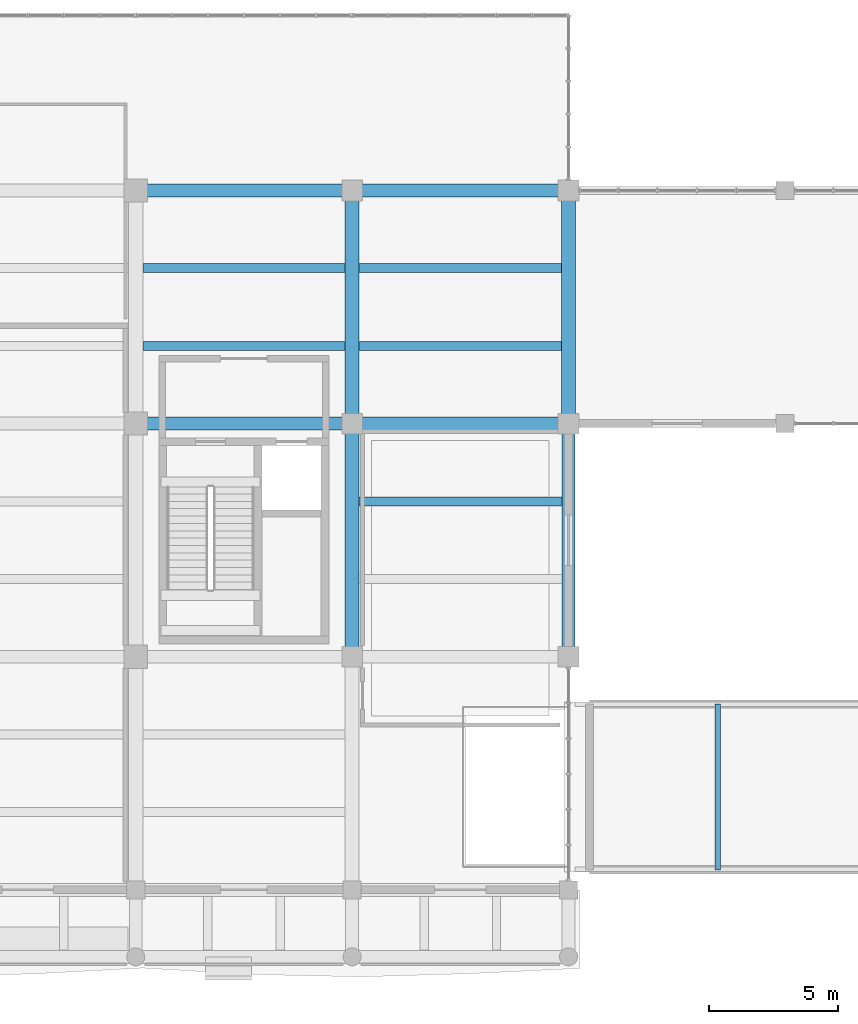
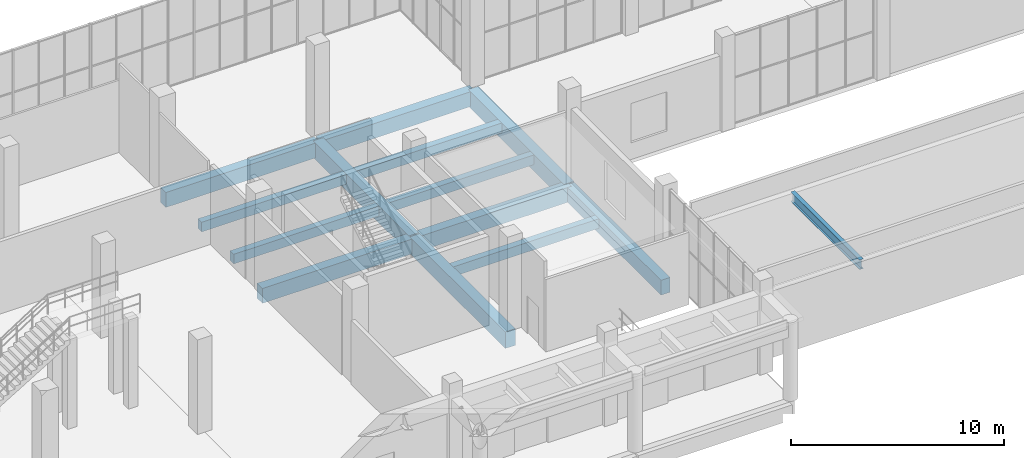
# One storey, part 25 of 91: 14 beams.
"""IFC4 building model written with IfcOpenShell, lengths in metres."""

from ifc_helpers import new_model, si_unit, direction, frame, origin, origin_2d, place, context, subcontext, project, spatial, rectangle, i_section, extrude, material, material_profile, profile_set, type_object, element, save


model = new_model("IFC4")

# Units and contexts
model_context = context("Model", 3, precision=1e-05, world=origin(), true_north=direction((0.0, 1.0)))
body_context = subcontext(model_context, "Body", "Model", "MODEL_VIEW")
ifc_project = project(units=[si_unit("LENGTHUNIT", "METRE"), si_unit("AREAUNIT", "SQUARE_METRE"), si_unit("VOLUMEUNIT", "CUBIC_METRE"), si_unit("PLANEANGLEUNIT", "RADIAN"), si_unit("MASSUNIT", "GRAM", prefix="KILO")], contexts=[model_context])

# Site, building, storey
site_placement = place(None, origin())
site = spatial("IfcSite", under=ifc_project, at=site_placement, CompositionType="ELEMENT")
building_placement = place(site_placement, origin())
building = spatial("IfcBuilding", under=site, at=building_placement, Name="Khurvash Pelagic Aquarium", CompositionType="ELEMENT")
storey_placement = place(building_placement, origin())
storey = spatial("IfcBuildingStorey", under=building, at=storey_placement, Name="L00", CompositionType="ELEMENT", Elevation=0.0)

# Beams
ifc_material_1 = material(Name="Concrete C40/50", Category="concrete")
ifc_material_profile_1 = material_profile(ifc_material_1, rectangle(XDim=0.550048828125, YDim=0.949951171875, at=origin_2d()), Name="RC550X950")
ifc_profile_set_1 = profile_set([ifc_material_profile_1], Name="Concrete C40/50")
beam_type_1 = type_object("IfcBeamType", Name="BM-02", PredefinedType="BEAM", material=ifc_profile_set_1)
for number, where, z_axis, x_axis, name in (
    (1, (100.800048828125, 11.68994140625, -0.794921875), (0.0, 1.0, 0.0), (-1.0, 0.0, 0.0), "L00 Primary Girder BM-02 00127"),
    (2, (100.800048828125, 20.739990234375, -0.794921875), (0.0, 1.0, 0.0), (-1.0, 0.0, 0.0), "L00 Primary Girder BM-02 00128"),
    (3, (109.199951171875, 20.739990234375, -0.794921875), (0.0, 1.0, 0.0), (-1.0, 0.0, 0.0), "L00 Primary Girder BM-02 00132"),
):
    element("IfcBeam", number, at=place(storey_placement, frame(where, z_axis=z_axis, x_axis=x_axis)), inside=storey, type_object=beam_type_1, Name=name, PredefinedType="BEAM", context=body_context, shape_type="SweptSolid", body=[
        extrude(rectangle(XDim=0.550048828125, YDim=0.949951171875, at=origin_2d()), origin(), (0.0, 0.0, 1.0), 8.969970703125),
    ])
ifc_material_profile_2 = material_profile(ifc_material_1, rectangle(XDim=0.5, YDim=0.85009765625, at=origin_2d()), Name="RC500X850")
ifc_profile_set_2 = profile_set([ifc_material_profile_2], Name="Concrete C40/50")
beam_type_2 = type_object("IfcBeamType", Name="BM-03", PredefinedType="BEAM", material=ifc_profile_set_2)
beam_1_placement = place(storey_placement, frame((92.43994140625, 20.699951171875, -0.7451171875), z_axis=(1.0, 0.0, 0.0), x_axis=(0.0, 1.0, 0.0)))
element("IfcBeam", 4, at=beam_1_placement, inside=storey, type_object=beam_type_2, Name="L00 Primary Girder BM-03 00029", PredefinedType="BEAM", context=body_context, shape_type="SweptSolid", body=[
    extrude(rectangle(XDim=0.5, YDim=0.85009765625, at=origin_2d()), origin(), (0.0, 0.0, 1.0), 8.320068359375),
])
beam_2_placement = place(storey_placement, frame((100.840087890625, 20.699951171875, -0.7451171875), z_axis=(1.0, 0.0, 0.0), x_axis=(0.0, 1.0, 0.0)))
element("IfcBeam", 5, at=beam_2_placement, inside=storey, type_object=beam_type_2, Name="L00 Primary Girder BM-03 00030", PredefinedType="BEAM", context=body_context, shape_type="SweptSolid", body=[
    extrude(rectangle(XDim=0.5, YDim=0.85009765625, at=origin_2d()), origin(), (0.0, 0.0, 1.0), 8.31982421875),
])
beam_3_placement = place(storey_placement, frame((92.43994140625, 29.75, -0.7451171875), z_axis=(1.0, 0.0, 0.0), x_axis=(0.0, 1.0, 0.0)))
element("IfcBeam", 6, at=beam_3_placement, inside=storey, type_object=beam_type_2, Name="L00 Primary Girder BM-03 00039", PredefinedType="BEAM", context=body_context, shape_type="SweptSolid", body=[
    extrude(rectangle(XDim=0.5, YDim=0.85009765625, at=origin_2d()), origin(), (0.0, 0.0, 1.0), 8.320068359375),
])
beam_4_placement = place(storey_placement, frame((100.840087890625, 29.75, -0.7451171875), z_axis=(1.0, 0.0, 0.0), x_axis=(0.0, 1.0, 0.0)))
element("IfcBeam", 7, at=beam_4_placement, inside=storey, type_object=beam_type_2, Name="L00 Primary Girder BM-03 00040", PredefinedType="BEAM", context=body_context, shape_type="SweptSolid", body=[
    extrude(rectangle(XDim=0.5, YDim=0.85009765625, at=origin_2d()), origin(), (0.0, 0.0, 1.0), 8.31982421875),
])
ifc_material_2 = material(Name="Steel ASTM A992 Grade 50", Category="steel")
ifc_material_profile_3 = material_profile(ifc_material_2, i_section(OverallWidth=0.214111328125, OverallDepth=0.549072265625, WebThickness=0.0146484375, FlangeThickness=0.023681640625, at=origin_2d()), Name="W21X93")
ifc_profile_set_3 = profile_set([ifc_material_profile_3], Name="Steel ASTM A992 Grade 50")
beam_type_3 = type_object("IfcBeamType", Name="BM-11", PredefinedType="BEAM", material=ifc_profile_set_3)
beam_5_placement = place(storey_placement, frame((115.0, 3.3798828125, 3.52490234375), z_axis=(0.0, 1.0, 0.0), x_axis=(-1.0, 0.0, 0.0)))
element("IfcBeam", 8, at=beam_5_placement, inside=storey, type_object=beam_type_3, Name="L00 Ramp Hood Roof Beam BM-11", PredefinedType="BEAM", context=body_context, shape_type="SweptSolid", body=[
    extrude(i_section(OverallWidth=0.214111328125, OverallDepth=0.549072265625, WebThickness=0.0146484375, FlangeThickness=0.023681640625, at=origin_2d()), origin(), (0.0, 0.0, 1.0), 6.440185546875),
])
ifc_material_3 = material(Name="Concrete C35/45", Category="concrete")
ifc_material_profile_4 = material_profile(ifc_material_3, rectangle(XDim=0.35009765625, YDim=0.550048828125, at=origin_2d()), Name="RC350X550")
ifc_profile_set_4 = profile_set([ifc_material_profile_4], Name="Concrete C35/45")
beam_type_4 = type_object("IfcBeamType", Name="JS-01", PredefinedType="JOIST", material=ifc_profile_set_4)
for number, where, z_axis, x_axis, name in (
    (9, (92.675048828125, 23.717041015625, -0.594970703125), (1.0, 0.0, 0.0), (0.0, 1.0, 0.0), "L00 Floor Joist JS-01 00221"),
    (10, (92.675048828125, 26.73291015625, -0.594970703125), (1.0, 0.0, 0.0), (0.0, 1.0, 0.0), "L00 Floor Joist JS-01 00222"),
):
    element("IfcBeam", number, at=place(storey_placement, frame(where, z_axis=z_axis, x_axis=x_axis)), inside=storey, type_object=beam_type_4, Name=name, PredefinedType="JOIST", context=body_context, shape_type="SweptSolid", body=[
        extrude(rectangle(XDim=0.35009765625, YDim=0.550048828125, at=origin_2d()), origin(), (0.0, 0.0, 1.0), 7.849853515625),
    ])
beam_6_placement = place(storey_placement, frame((101.074951171875, 17.68310546875, -0.594970703125), z_axis=(1.0, 0.0, 0.0), x_axis=(0.0, 1.0, 0.0)))
element("IfcBeam", 11, at=beam_6_placement, inside=storey, type_object=beam_type_4, Name="L00 Floor Joist JS-01 00228", PredefinedType="JOIST", context=body_context, shape_type="SweptSolid", body=[
    extrude(rectangle(XDim=0.35009765625, YDim=0.550048828125, at=origin_2d()), origin(), (0.0, 0.0, 1.0), 7.875),
])
for number, where, z_axis, x_axis, name in (
    (12, (101.074951171875, 23.717041015625, -0.594970703125), (1.0, 0.0, 0.0), (0.0, 1.0, 0.0), "L00 Floor Joist JS-01 00229"),
    (13, (101.074951171875, 26.73291015625, -0.594970703125), (1.0, 0.0, 0.0), (0.0, 1.0, 0.0), "L00 Floor Joist JS-01 00230"),
):
    element("IfcBeam", number, at=place(storey_placement, frame(where, z_axis=z_axis, x_axis=x_axis)), inside=storey, type_object=beam_type_4, Name=name, PredefinedType="JOIST", context=body_context, shape_type="SweptSolid", body=[
        extrude(rectangle(XDim=0.35009765625, YDim=0.550048828125, at=origin_2d()), origin(), (0.0, 0.0, 1.0), 7.85009765625),
    ])
ifc_material_profile_5 = material_profile(ifc_material_1, rectangle(XDim=0.5, YDim=0.85009765625, at=origin_2d()), Name="RC500X850")
ifc_profile_set_5 = profile_set([ifc_material_profile_5], Name="Concrete C40/50")
beam_type_5 = type_object("IfcBeamType", Name="SEB-03", PredefinedType="SPANDREL", material=ifc_profile_set_5)
beam_7_placement = place(storey_placement, frame((109.199951171875, 11.68994140625, -0.7451171875), z_axis=(0.0, 1.0, 0.0), x_axis=(-1.0, 0.0, 0.0)))
element("IfcBeam", 14, at=beam_7_placement, inside=storey, type_object=beam_type_5, Name="L00 Primary Girder SEB-03 00131", PredefinedType="SPANDREL", context=body_context, shape_type="SweptSolid", body=[
    extrude(rectangle(XDim=0.5, YDim=0.85009765625, at=origin_2d()), origin(), (0.0, 0.0, 1.0), 8.969970703125),
])

save(model, "model.ifc")
